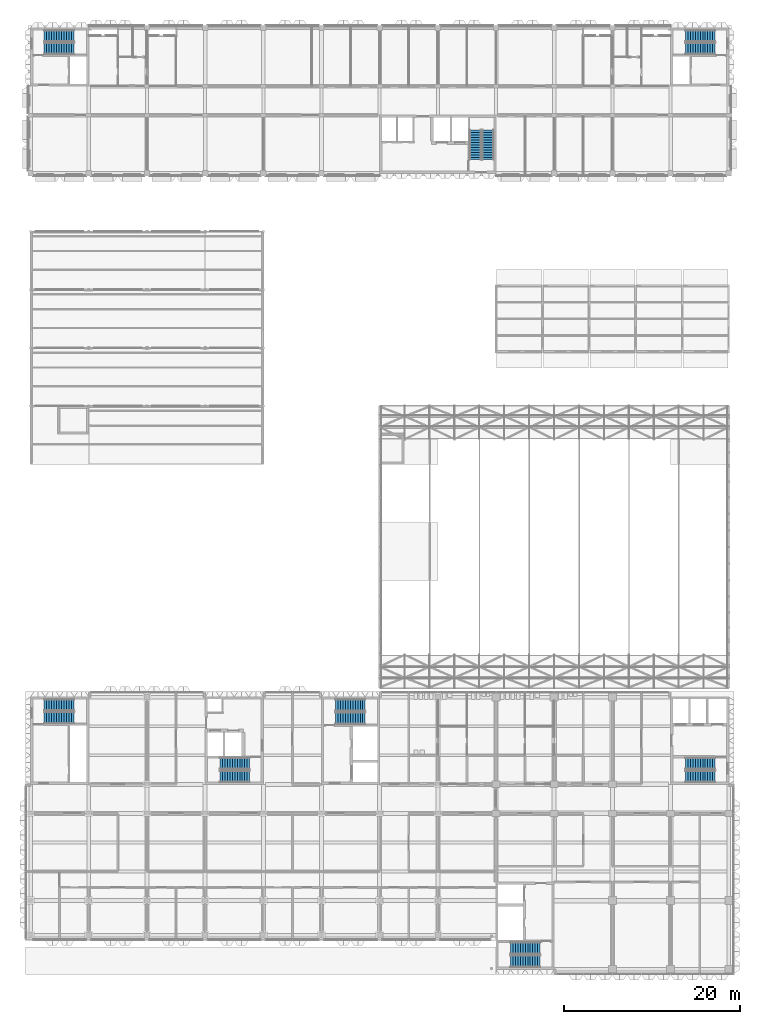
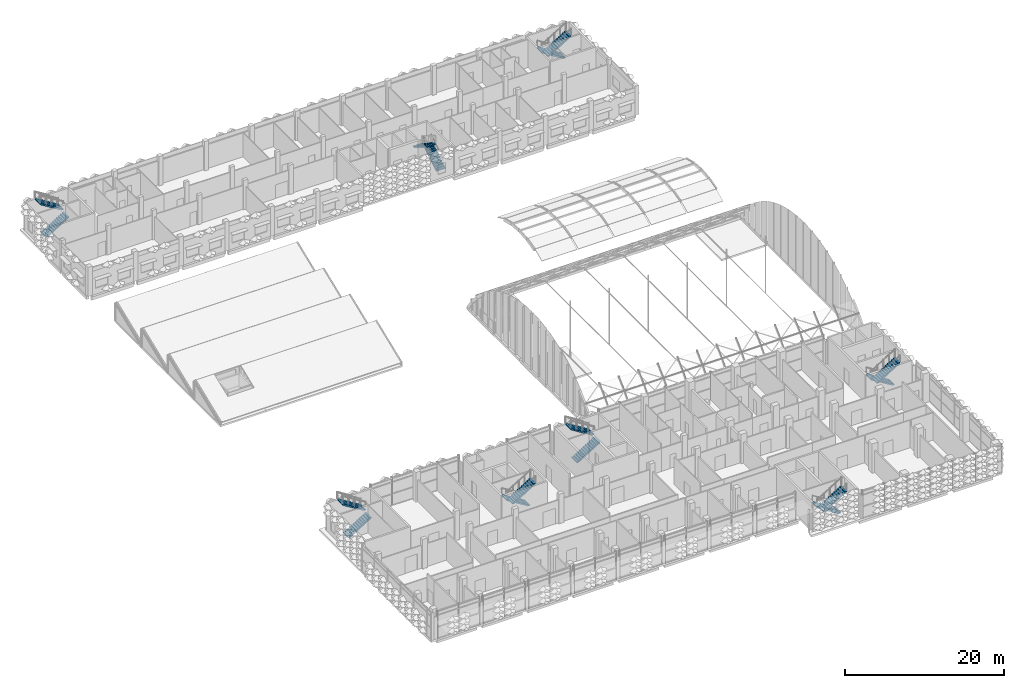
# One storey, part 61 of 109: 16 stair flights, 8 elements without a shape of their own.
"""IFC4 building model written with IfcOpenShell, lengths in metres."""

from ifc_helpers import new_model, si_unit, direction, frame, origin, place, context, subcontext, project, spatial, polyline, outline, extrude, material, type_object, element, aggregate, save


model = new_model("IFC4")

# Units and contexts
model_context = context("Model", 3, precision=1e-05, world=origin(), true_north=direction((0.0, 1.0)))
body_context = subcontext(model_context, "Body", "Model", "MODEL_VIEW")
ifc_project = project(units=[si_unit("LENGTHUNIT", "METRE"), si_unit("AREAUNIT", "SQUARE_METRE"), si_unit("VOLUMEUNIT", "CUBIC_METRE"), si_unit("PLANEANGLEUNIT", "RADIAN"), si_unit("MASSUNIT", "GRAM", prefix="KILO")], contexts=[model_context])

# Site, building, storey
site_placement = place(None, origin())
site = spatial("IfcSite", under=ifc_project, at=site_placement, CompositionType="ELEMENT")
building_placement = place(site_placement, origin())
building = spatial("IfcBuilding", under=site, at=building_placement, Name="Lantern Court Research Institute", CompositionType="ELEMENT")
storey_placement = place(building_placement, frame((0.0, 0.0, 14.39990234375)))
storey = spatial("IfcBuildingStorey", under=building, at=storey_placement, Name="L03", CompositionType="ELEMENT", Elevation=14.39990234375)

# Stair, stair flights
ifc_material_1 = material(Name="Concrete C40/50", Category="concrete")
stair_type_1 = type_object("IfcStairType", Name="RC half-turn stair 1300 wide, 4500 rise, 6100 shaft", PredefinedType="HALF_TURN_STAIR", material=ifc_material_1)
stair_1_placement = place(storey_placement, origin())
stair_1 = element("IfcStair", 1, at=stair_1_placement, inside=storey, type_object=stair_type_1, Name="L03 stair ST-B1", PredefinedType="HALF_TURN_STAIR")
ifc_material_2 = material(Name="Concrete C40/50", Category="concrete")
stair_flight_type_1 = type_object("IfcStairFlightType", Name="RC stair flight 1300 wide, 13 risers of 173, going 280", PredefinedType="STRAIGHT", material=ifc_material_2)
stair_flight_1_placement = place(storey_placement, frame((1.550048828125, 20.75, 0.0), z_axis=(0.0, 0.0, 1.0), x_axis=(1.0, 0.0, 0.0)))
stair_flight_1 = element("IfcStairFlight", 2, at=stair_flight_1_placement, type_object=stair_flight_type_1, Name="ST-B1 flight 1", NumberOfRisers=13, NumberOfTreads=12, PredefinedType="STRAIGHT", RiserHeight=0.173076923, TreadLength=0.28, context=body_context, shape_type="SweptSolid", body=[
    extrude(outline(polyline([(0.0, 0.0), (0.0, 0.173095703125), (0.280029296875, 0.173095703125), (0.280029296875, 0.34619140625), (0.56005859375, 0.34619140625), (0.56005859375, 0.519287109375), (0.840087890625, 0.519287109375), (0.840087890625, 0.6923828125), (1.1201171875, 0.6923828125), (1.1201171875, 0.865478515625), (1.39990234375, 0.865478515625), (1.39990234375, 1.03857421875), (1.679931640625, 1.03857421875), (1.679931640625, 1.21142578125), (1.9599609375, 1.21142578125), (1.9599609375, 1.384521484375), (2.239990234375, 1.384521484375), (2.239990234375, 1.5576171875), (2.52001953125, 1.5576171875), (2.52001953125, 1.730712890625), (2.800048828125, 1.730712890625), (2.800048828125, 1.90380859375), (3.080078125, 1.90380859375), (3.080078125, 2.076904296875), (3.360107421875, 2.076904296875), (3.360107421875, 2.25), (3.360107421875, 1.900634765625), (0.28515625, 0.0), (0.0, 0.0)])), frame((0.0, 0.64990234375, 0.0), z_axis=(0.0, -1.0, 0.0), x_axis=(1.0, 0.0, 0.0)), (0.0, 0.0, 1.0), 1.300048828125),
])
stair_flight_2_placement = place(storey_placement, frame((4.909912109375, 22.199951171875, 2.25), z_axis=(0.0, 0.0, 1.0), x_axis=(-1.0, 0.0, 0.0)))
stair_flight_2 = element("IfcStairFlight", 3, at=stair_flight_2_placement, type_object=stair_flight_type_1, Name="ST-B1 flight 2", NumberOfRisers=13, NumberOfTreads=12, PredefinedType="STRAIGHT", RiserHeight=0.173076923, TreadLength=0.28, context=body_context, shape_type="SweptSolid", body=[
    extrude(outline(polyline([(0.0, 0.0), (0.0, 0.173095703125), (0.280029296875, 0.173095703125), (0.280029296875, 0.34619140625), (0.56005859375, 0.34619140625), (0.56005859375, 0.519287109375), (0.840087890625, 0.519287109375), (0.840087890625, 0.6923828125), (1.1201171875, 0.6923828125), (1.1201171875, 0.865478515625), (1.39990234375, 0.865478515625), (1.39990234375, 1.03857421875), (1.679931640625, 1.03857421875), (1.679931640625, 1.21142578125), (1.9599609375, 1.21142578125), (1.9599609375, 1.384521484375), (2.239990234375, 1.384521484375), (2.239990234375, 1.5576171875), (2.52001953125, 1.5576171875), (2.52001953125, 1.730712890625), (2.800048828125, 1.730712890625), (2.800048828125, 1.90380859375), (3.080078125, 1.90380859375), (3.080078125, 2.076904296875), (3.360107421875, 2.076904296875), (3.360107421875, 2.25), (3.360107421875, 1.900634765625), (0.28515625, 0.0), (0.0, 0.0)])), frame((0.0, 0.64990234375, 0.0), z_axis=(0.0, -1.0, 0.0), x_axis=(1.0, 0.0, 0.0)), (0.0, 0.0, 1.0), 1.300048828125),
])
aggregate(stair_1, [stair_flight_1, stair_flight_2])

stair_2_placement = place(storey_placement, origin())
stair_2 = element("IfcStair", 4, at=stair_2_placement, inside=storey, type_object=stair_type_1, Name="L03 stair ST-B2", PredefinedType="HALF_TURN_STAIR")
stair_flight_3_placement = place(storey_placement, frame((24.85009765625, 15.550048828125, 0.0), z_axis=(0.0, 0.0, 1.0), x_axis=(-1.0, 0.0, 0.0)))
stair_flight_3 = element("IfcStairFlight", 5, at=stair_flight_3_placement, type_object=stair_flight_type_1, Name="ST-B2 flight 1", NumberOfRisers=13, NumberOfTreads=12, PredefinedType="STRAIGHT", RiserHeight=0.173076923, TreadLength=0.28, context=body_context, shape_type="SweptSolid", body=[
    extrude(outline(polyline([(0.0, 0.0), (0.0, 0.173095703125), (0.280029296875, 0.173095703125), (0.280029296875, 0.34619140625), (0.56005859375, 0.34619140625), (0.56005859375, 0.519287109375), (0.840087890625, 0.519287109375), (0.840087890625, 0.6923828125), (1.1201171875, 0.6923828125), (1.1201171875, 0.865478515625), (1.39990234375, 0.865478515625), (1.39990234375, 1.03857421875), (1.679931640625, 1.03857421875), (1.679931640625, 1.21142578125), (1.9599609375, 1.21142578125), (1.9599609375, 1.384521484375), (2.239990234375, 1.384521484375), (2.239990234375, 1.5576171875), (2.52001953125, 1.5576171875), (2.52001953125, 1.730712890625), (2.800048828125, 1.730712890625), (2.800048828125, 1.90380859375), (3.080078125, 1.90380859375), (3.080078125, 2.076904296875), (3.360107421875, 2.076904296875), (3.360107421875, 2.25), (3.360107421875, 1.900634765625), (0.28515625, 0.0), (0.0, 0.0)])), frame((0.0, 0.64990234375, 0.0), z_axis=(0.0, -1.0, 0.0), x_axis=(1.0, 0.0, 0.0)), (0.0, 0.0, 1.0), 1.300048828125),
])
stair_flight_4_placement = place(storey_placement, frame((21.489990234375, 14.10009765625, 2.25), z_axis=(0.0, 0.0, 1.0), x_axis=(1.0, 0.0, 0.0)))
stair_flight_4 = element("IfcStairFlight", 6, at=stair_flight_4_placement, type_object=stair_flight_type_1, Name="ST-B2 flight 2", NumberOfRisers=13, NumberOfTreads=12, PredefinedType="STRAIGHT", RiserHeight=0.173076923, TreadLength=0.28, context=body_context, shape_type="SweptSolid", body=[
    extrude(outline(polyline([(0.0, 0.0), (0.0, 0.173095703125), (0.280029296875, 0.173095703125), (0.280029296875, 0.34619140625), (0.56005859375, 0.34619140625), (0.56005859375, 0.519287109375), (0.840087890625, 0.519287109375), (0.840087890625, 0.6923828125), (1.1201171875, 0.6923828125), (1.1201171875, 0.865478515625), (1.39990234375, 0.865478515625), (1.39990234375, 1.03857421875), (1.679931640625, 1.03857421875), (1.679931640625, 1.21142578125), (1.9599609375, 1.21142578125), (1.9599609375, 1.384521484375), (2.239990234375, 1.384521484375), (2.239990234375, 1.5576171875), (2.52001953125, 1.5576171875), (2.52001953125, 1.730712890625), (2.800048828125, 1.730712890625), (2.800048828125, 1.90380859375), (3.080078125, 1.90380859375), (3.080078125, 2.076904296875), (3.360107421875, 2.076904296875), (3.360107421875, 2.25), (3.360107421875, 1.900634765625), (0.28515625, 0.0), (0.0, 0.0)])), frame((0.0, 0.64990234375, 0.0), z_axis=(0.0, -1.0, 0.0), x_axis=(1.0, 0.0, 0.0)), (0.0, 0.0, 1.0), 1.300048828125),
])
aggregate(stair_2, [stair_flight_3, stair_flight_4])

stair_3_placement = place(storey_placement, origin())
stair_3 = element("IfcStair", 7, at=stair_3_placement, inside=storey, type_object=stair_type_1, Name="L03 stair ST-T2", PredefinedType="HALF_TURN_STAIR")
stair_flight_5_placement = place(storey_placement, frame((77.64990234375, 15.550048828125, 0.0), z_axis=(0.0, 0.0, 1.0), x_axis=(-1.0, 0.0, 0.0)))
stair_flight_5 = element("IfcStairFlight", 8, at=stair_flight_5_placement, type_object=stair_flight_type_1, Name="ST-T2 flight 1", NumberOfRisers=13, NumberOfTreads=12, PredefinedType="STRAIGHT", RiserHeight=0.173076923, TreadLength=0.28, context=body_context, shape_type="SweptSolid", body=[
    extrude(outline(polyline([(0.0, 0.0), (0.0, 0.173095703125), (0.280029296875, 0.173095703125), (0.280029296875, 0.34619140625), (0.56005859375, 0.34619140625), (0.56005859375, 0.519287109375), (0.840087890625, 0.519287109375), (0.840087890625, 0.6923828125), (1.1201171875, 0.6923828125), (1.1201171875, 0.865478515625), (1.39990234375, 0.865478515625), (1.39990234375, 1.03857421875), (1.679931640625, 1.03857421875), (1.679931640625, 1.21142578125), (1.9599609375, 1.21142578125), (1.9599609375, 1.384521484375), (2.239990234375, 1.384521484375), (2.239990234375, 1.5576171875), (2.52001953125, 1.5576171875), (2.52001953125, 1.730712890625), (2.800048828125, 1.730712890625), (2.800048828125, 1.90380859375), (3.080078125, 1.90380859375), (3.080078125, 2.076904296875), (3.360107421875, 2.076904296875), (3.360107421875, 2.25), (3.360107421875, 1.900634765625), (0.28515625, 0.0), (0.0, 0.0)])), frame((0.0, 0.64990234375, 0.0), z_axis=(0.0, -1.0, 0.0), x_axis=(1.0, 0.0, 0.0)), (0.0, 0.0, 1.0), 1.300048828125),
])
stair_flight_6_placement = place(storey_placement, frame((74.2900390625, 14.10009765625, 2.25), z_axis=(0.0, 0.0, 1.0), x_axis=(1.0, 0.0, 0.0)))
stair_flight_6 = element("IfcStairFlight", 9, at=stair_flight_6_placement, type_object=stair_flight_type_1, Name="ST-T2 flight 2", NumberOfRisers=13, NumberOfTreads=12, PredefinedType="STRAIGHT", RiserHeight=0.173076923, TreadLength=0.28, context=body_context, shape_type="SweptSolid", body=[
    extrude(outline(polyline([(0.0, 0.0), (0.0, 0.173095703125), (0.280029296875, 0.173095703125), (0.280029296875, 0.34619140625), (0.56005859375, 0.34619140625), (0.56005859375, 0.519287109375), (0.840087890625, 0.519287109375), (0.840087890625, 0.6923828125), (1.1201171875, 0.6923828125), (1.1201171875, 0.865478515625), (1.39990234375, 0.865478515625), (1.39990234375, 1.03857421875), (1.679931640625, 1.03857421875), (1.679931640625, 1.21142578125), (1.9599609375, 1.21142578125), (1.9599609375, 1.384521484375), (2.239990234375, 1.384521484375), (2.239990234375, 1.5576171875), (2.52001953125, 1.5576171875), (2.52001953125, 1.730712890625), (2.800048828125, 1.730712890625), (2.800048828125, 1.90380859375), (3.080078125, 1.90380859375), (3.080078125, 2.076904296875), (3.360107421875, 2.076904296875), (3.360107421875, 2.25), (3.360107421875, 1.900634765625), (0.28515625, 0.0), (0.0, 0.0)])), frame((0.0, 0.64990234375, 0.0), z_axis=(0.0, -1.0, 0.0), x_axis=(1.0, 0.0, 0.0)), (0.0, 0.0, 1.0), 1.300048828125),
])
aggregate(stair_3, [stair_flight_5, stair_flight_6])

stair_4_placement = place(storey_placement, origin())
stair_4 = element("IfcStair", 10, at=stair_4_placement, inside=storey, type_object=stair_type_1, Name="L03 stair ST-W1", PredefinedType="HALF_TURN_STAIR")
stair_flight_7_placement = place(storey_placement, frame((1.550048828125, 96.64990234375, 0.0), z_axis=(0.0, 0.0, 1.0), x_axis=(1.0, 0.0, 0.0)))
stair_flight_7 = element("IfcStairFlight", 11, at=stair_flight_7_placement, type_object=stair_flight_type_1, Name="ST-W1 flight 1", NumberOfRisers=13, NumberOfTreads=12, PredefinedType="STRAIGHT", RiserHeight=0.173076923, TreadLength=0.28, context=body_context, shape_type="SweptSolid", body=[
    extrude(outline(polyline([(0.0, 0.0), (0.0, 0.173095703125), (0.280029296875, 0.173095703125), (0.280029296875, 0.34619140625), (0.56005859375, 0.34619140625), (0.56005859375, 0.519287109375), (0.840087890625, 0.519287109375), (0.840087890625, 0.6923828125), (1.1201171875, 0.6923828125), (1.1201171875, 0.865478515625), (1.39990234375, 0.865478515625), (1.39990234375, 1.03857421875), (1.679931640625, 1.03857421875), (1.679931640625, 1.21142578125), (1.9599609375, 1.21142578125), (1.9599609375, 1.384521484375), (2.239990234375, 1.384521484375), (2.239990234375, 1.5576171875), (2.52001953125, 1.5576171875), (2.52001953125, 1.730712890625), (2.800048828125, 1.730712890625), (2.800048828125, 1.90380859375), (3.080078125, 1.90380859375), (3.080078125, 2.076904296875), (3.360107421875, 2.076904296875), (3.360107421875, 2.25), (3.360107421875, 1.900634765625), (0.28515625, 0.0), (0.0, 0.0)])), frame((0.0, 0.64990234375, 0.0), z_axis=(0.0, -1.0, 0.0), x_axis=(1.0, 0.0, 0.0)), (0.0, 0.0, 1.0), 1.300048828125),
])
stair_flight_8_placement = place(storey_placement, frame((4.909912109375, 98.10009765625, 2.25), z_axis=(0.0, 0.0, 1.0), x_axis=(-1.0, 0.0, 0.0)))
stair_flight_8 = element("IfcStairFlight", 12, at=stair_flight_8_placement, type_object=stair_flight_type_1, Name="ST-W1 flight 2", NumberOfRisers=13, NumberOfTreads=12, PredefinedType="STRAIGHT", RiserHeight=0.173076923, TreadLength=0.28, context=body_context, shape_type="SweptSolid", body=[
    extrude(outline(polyline([(0.0, 0.0), (0.0, 0.173095703125), (0.280029296875, 0.173095703125), (0.280029296875, 0.34619140625), (0.56005859375, 0.34619140625), (0.56005859375, 0.519287109375), (0.840087890625, 0.519287109375), (0.840087890625, 0.6923828125), (1.1201171875, 0.6923828125), (1.1201171875, 0.865478515625), (1.39990234375, 0.865478515625), (1.39990234375, 1.03857421875), (1.679931640625, 1.03857421875), (1.679931640625, 1.21142578125), (1.9599609375, 1.21142578125), (1.9599609375, 1.384521484375), (2.239990234375, 1.384521484375), (2.239990234375, 1.5576171875), (2.52001953125, 1.5576171875), (2.52001953125, 1.730712890625), (2.800048828125, 1.730712890625), (2.800048828125, 1.90380859375), (3.080078125, 1.90380859375), (3.080078125, 2.076904296875), (3.360107421875, 2.076904296875), (3.360107421875, 2.25), (3.360107421875, 1.900634765625), (0.28515625, 0.0), (0.0, 0.0)])), frame((0.0, 0.64990234375, 0.0), z_axis=(0.0, -1.0, 0.0), x_axis=(1.0, 0.0, 0.0)), (0.0, 0.0, 1.0), 1.300048828125),
])
aggregate(stair_4, [stair_flight_7, stair_flight_8])

stair_5_placement = place(storey_placement, origin())
stair_5 = element("IfcStair", 13, at=stair_5_placement, inside=storey, type_object=stair_type_1, Name="L03 stair ST-W2", PredefinedType="HALF_TURN_STAIR")
stair_flight_9_placement = place(storey_placement, frame((51.89990234375, 84.050048828125, 0.0), z_axis=(0.0, 0.0, 1.0), x_axis=(0.0, 1.0, 0.0)))
stair_flight_9 = element("IfcStairFlight", 14, at=stair_flight_9_placement, type_object=stair_flight_type_1, Name="ST-W2 flight 1", NumberOfRisers=13, NumberOfTreads=12, PredefinedType="STRAIGHT", RiserHeight=0.173076923, TreadLength=0.28, context=body_context, shape_type="SweptSolid", body=[
    extrude(outline(polyline([(0.0, 0.0), (0.0, 0.173095703125), (0.280029296875, 0.173095703125), (0.280029296875, 0.34619140625), (0.56005859375, 0.34619140625), (0.56005859375, 0.519287109375), (0.840087890625, 0.519287109375), (0.840087890625, 0.6923828125), (1.1201171875, 0.6923828125), (1.1201171875, 0.865478515625), (1.39990234375, 0.865478515625), (1.39990234375, 1.03857421875), (1.679931640625, 1.03857421875), (1.679931640625, 1.21142578125), (1.9599609375, 1.21142578125), (1.9599609375, 1.384521484375), (2.239990234375, 1.384521484375), (2.239990234375, 1.5576171875), (2.52001953125, 1.5576171875), (2.52001953125, 1.730712890625), (2.800048828125, 1.730712890625), (2.800048828125, 1.90380859375), (3.080078125, 1.90380859375), (3.080078125, 2.076904296875), (3.360107421875, 2.076904296875), (3.360107421875, 2.25), (3.360107421875, 1.900634765625), (0.28515625, 0.0), (0.0, 0.0)])), frame((0.0, 0.64990234375, 0.0), z_axis=(0.0, -1.0, 0.0), x_axis=(1.0, 0.0, 0.0)), (0.0, 0.0, 1.0), 1.300048828125),
])
stair_flight_10_placement = place(storey_placement, frame((50.449951171875, 87.409912109375, 2.25), z_axis=(0.0, 0.0, 1.0), x_axis=(0.0, -1.0, 0.0)))
stair_flight_10 = element("IfcStairFlight", 15, at=stair_flight_10_placement, type_object=stair_flight_type_1, Name="ST-W2 flight 2", NumberOfRisers=13, NumberOfTreads=12, PredefinedType="STRAIGHT", RiserHeight=0.173076923, TreadLength=0.28, context=body_context, shape_type="SweptSolid", body=[
    extrude(outline(polyline([(0.0, 0.0), (0.0, 0.173095703125), (0.280029296875, 0.173095703125), (0.280029296875, 0.34619140625), (0.56005859375, 0.34619140625), (0.56005859375, 0.519287109375), (0.840087890625, 0.519287109375), (0.840087890625, 0.6923828125), (1.1201171875, 0.6923828125), (1.1201171875, 0.865478515625), (1.39990234375, 0.865478515625), (1.39990234375, 1.03857421875), (1.679931640625, 1.03857421875), (1.679931640625, 1.21142578125), (1.9599609375, 1.21142578125), (1.9599609375, 1.384521484375), (2.239990234375, 1.384521484375), (2.239990234375, 1.5576171875), (2.52001953125, 1.5576171875), (2.52001953125, 1.730712890625), (2.800048828125, 1.730712890625), (2.800048828125, 1.90380859375), (3.080078125, 1.90380859375), (3.080078125, 2.076904296875), (3.360107421875, 2.076904296875), (3.360107421875, 2.25), (3.360107421875, 1.900634765625), (0.28515625, 0.0), (0.0, 0.0)])), frame((0.0, 0.64990234375, 0.0), z_axis=(0.0, -1.0, 0.0), x_axis=(1.0, 0.0, 0.0)), (0.0, 0.0, 1.0), 1.300048828125),
])
aggregate(stair_5, [stair_flight_9, stair_flight_10])

stair_6_placement = place(storey_placement, origin())
stair_6 = element("IfcStair", 16, at=stair_6_placement, inside=storey, type_object=stair_type_1, Name="L03 stair ST-W3", PredefinedType="HALF_TURN_STAIR")
stair_flight_11_placement = place(storey_placement, frame((77.64990234375, 98.10009765625, 0.0), z_axis=(0.0, 0.0, 1.0), x_axis=(-1.0, 0.0, 0.0)))
stair_flight_11 = element("IfcStairFlight", 17, at=stair_flight_11_placement, type_object=stair_flight_type_1, Name="ST-W3 flight 1", NumberOfRisers=13, NumberOfTreads=12, PredefinedType="STRAIGHT", RiserHeight=0.173076923, TreadLength=0.28, context=body_context, shape_type="SweptSolid", body=[
    extrude(outline(polyline([(0.0, 0.0), (0.0, 0.173095703125), (0.280029296875, 0.173095703125), (0.280029296875, 0.34619140625), (0.56005859375, 0.34619140625), (0.56005859375, 0.519287109375), (0.840087890625, 0.519287109375), (0.840087890625, 0.6923828125), (1.1201171875, 0.6923828125), (1.1201171875, 0.865478515625), (1.39990234375, 0.865478515625), (1.39990234375, 1.03857421875), (1.679931640625, 1.03857421875), (1.679931640625, 1.21142578125), (1.9599609375, 1.21142578125), (1.9599609375, 1.384521484375), (2.239990234375, 1.384521484375), (2.239990234375, 1.5576171875), (2.52001953125, 1.5576171875), (2.52001953125, 1.730712890625), (2.800048828125, 1.730712890625), (2.800048828125, 1.90380859375), (3.080078125, 1.90380859375), (3.080078125, 2.076904296875), (3.360107421875, 2.076904296875), (3.360107421875, 2.25), (3.360107421875, 1.900634765625), (0.28515625, 0.0), (0.0, 0.0)])), frame((0.0, 0.64990234375, 0.0), z_axis=(0.0, -1.0, 0.0), x_axis=(1.0, 0.0, 0.0)), (0.0, 0.0, 1.0), 1.300048828125),
])
stair_flight_12_placement = place(storey_placement, frame((74.2900390625, 96.64990234375, 2.25), z_axis=(0.0, 0.0, 1.0), x_axis=(1.0, 0.0, 0.0)))
stair_flight_12 = element("IfcStairFlight", 18, at=stair_flight_12_placement, type_object=stair_flight_type_1, Name="ST-W3 flight 2", NumberOfRisers=13, NumberOfTreads=12, PredefinedType="STRAIGHT", RiserHeight=0.173076923, TreadLength=0.28, context=body_context, shape_type="SweptSolid", body=[
    extrude(outline(polyline([(0.0, 0.0), (0.0, 0.173095703125), (0.280029296875, 0.173095703125), (0.280029296875, 0.34619140625), (0.56005859375, 0.34619140625), (0.56005859375, 0.519287109375), (0.840087890625, 0.519287109375), (0.840087890625, 0.6923828125), (1.1201171875, 0.6923828125), (1.1201171875, 0.865478515625), (1.39990234375, 0.865478515625), (1.39990234375, 1.03857421875), (1.679931640625, 1.03857421875), (1.679931640625, 1.21142578125), (1.9599609375, 1.21142578125), (1.9599609375, 1.384521484375), (2.239990234375, 1.384521484375), (2.239990234375, 1.5576171875), (2.52001953125, 1.5576171875), (2.52001953125, 1.730712890625), (2.800048828125, 1.730712890625), (2.800048828125, 1.90380859375), (3.080078125, 1.90380859375), (3.080078125, 2.076904296875), (3.360107421875, 2.076904296875), (3.360107421875, 2.25), (3.360107421875, 1.900634765625), (0.28515625, 0.0), (0.0, 0.0)])), frame((0.0, 0.64990234375, 0.0), z_axis=(0.0, -1.0, 0.0), x_axis=(1.0, 0.0, 0.0)), (0.0, 0.0, 1.0), 1.300048828125),
])
aggregate(stair_6, [stair_flight_11, stair_flight_12])

ifc_material_3 = material(Name="Concrete C40/50", Category="concrete")
stair_type_2 = type_object("IfcStairType", Name="RC half-turn stair 1350 wide, 4500 rise, 6100 shaft", PredefinedType="HALF_TURN_STAIR", material=ifc_material_3)
stair_7_placement = place(storey_placement, origin())
stair_7 = element("IfcStair", 19, at=stair_7_placement, inside=storey, type_object=stair_type_2, Name="L03 stair ST-B3", PredefinedType="HALF_TURN_STAIR")
ifc_material_4 = material(Name="Concrete C40/50", Category="concrete")
stair_flight_type_2 = type_object("IfcStairFlightType", Name="RC stair flight 1350 wide, 13 risers of 173, going 280", PredefinedType="STRAIGHT", material=ifc_material_4)
stair_flight_13_placement = place(storey_placement, frame((34.60009765625, 20.675048828125, 0.0), z_axis=(0.0, 0.0, 1.0), x_axis=(1.0, 0.0, 0.0)))
stair_flight_13 = element("IfcStairFlight", 20, at=stair_flight_13_placement, type_object=stair_flight_type_2, Name="ST-B3 flight 1", NumberOfRisers=13, NumberOfTreads=12, PredefinedType="STRAIGHT", RiserHeight=0.173076923, TreadLength=0.28, context=body_context, shape_type="SweptSolid", body=[
    extrude(outline(polyline([(0.0, 0.0), (0.0, 0.173095703125), (0.280029296875, 0.173095703125), (0.280029296875, 0.34619140625), (0.56005859375, 0.34619140625), (0.56005859375, 0.519287109375), (0.840087890625, 0.519287109375), (0.840087890625, 0.6923828125), (1.1201171875, 0.6923828125), (1.1201171875, 0.865478515625), (1.39990234375, 0.865478515625), (1.39990234375, 1.03857421875), (1.679931640625, 1.03857421875), (1.679931640625, 1.21142578125), (1.9599609375, 1.21142578125), (1.9599609375, 1.384521484375), (2.239990234375, 1.384521484375), (2.239990234375, 1.5576171875), (2.52001953125, 1.5576171875), (2.52001953125, 1.730712890625), (2.800048828125, 1.730712890625), (2.800048828125, 1.90380859375), (3.080078125, 1.90380859375), (3.080078125, 2.076904296875), (3.360107421875, 2.076904296875), (3.360107421875, 2.25), (3.360107421875, 1.900634765625), (0.28515625, 0.0), (0.0, 0.0)])), frame((0.0, 0.675048828125, 0.0), z_axis=(0.0, -1.0, 0.0), x_axis=(1.0, 0.0, 0.0)), (0.0, 0.0, 1.0), 1.35009765625),
])
stair_flight_14_placement = place(storey_placement, frame((37.9599609375, 22.175048828125, 2.25), z_axis=(0.0, 0.0, 1.0), x_axis=(-1.0, 0.0, 0.0)))
stair_flight_14 = element("IfcStairFlight", 21, at=stair_flight_14_placement, type_object=stair_flight_type_2, Name="ST-B3 flight 2", NumberOfRisers=13, NumberOfTreads=12, PredefinedType="STRAIGHT", RiserHeight=0.173076923, TreadLength=0.28, context=body_context, shape_type="SweptSolid", body=[
    extrude(outline(polyline([(0.0, 0.0), (0.0, 0.173095703125), (0.280029296875, 0.173095703125), (0.280029296875, 0.34619140625), (0.56005859375, 0.34619140625), (0.56005859375, 0.519287109375), (0.840087890625, 0.519287109375), (0.840087890625, 0.6923828125), (1.1201171875, 0.6923828125), (1.1201171875, 0.865478515625), (1.39990234375, 0.865478515625), (1.39990234375, 1.03857421875), (1.679931640625, 1.03857421875), (1.679931640625, 1.21142578125), (1.9599609375, 1.21142578125), (1.9599609375, 1.384521484375), (2.239990234375, 1.384521484375), (2.239990234375, 1.5576171875), (2.52001953125, 1.5576171875), (2.52001953125, 1.730712890625), (2.800048828125, 1.730712890625), (2.800048828125, 1.90380859375), (3.080078125, 1.90380859375), (3.080078125, 2.076904296875), (3.360107421875, 2.076904296875), (3.360107421875, 2.25), (3.360107421875, 1.900634765625), (0.28515625, 0.0), (0.0, 0.0)])), frame((0.0, 0.675048828125, 0.0), z_axis=(0.0, -1.0, 0.0), x_axis=(1.0, 0.0, 0.0)), (0.0, 0.0, 1.0), 1.35009765625),
])
aggregate(stair_7, [stair_flight_13, stair_flight_14])

stair_8_placement = place(storey_placement, origin())
stair_8 = element("IfcStair", 22, at=stair_8_placement, inside=storey, type_object=stair_type_2, Name="L03 stair ST-T1", PredefinedType="HALF_TURN_STAIR")
stair_flight_15_placement = place(storey_placement, frame((57.800048828125, -5.375, 0.0), z_axis=(0.0, 0.0, 1.0), x_axis=(-1.0, 0.0, 0.0)))
stair_flight_15 = element("IfcStairFlight", 23, at=stair_flight_15_placement, type_object=stair_flight_type_2, Name="ST-T1 flight 1", NumberOfRisers=13, NumberOfTreads=12, PredefinedType="STRAIGHT", RiserHeight=0.173076923, TreadLength=0.28, context=body_context, shape_type="SweptSolid", body=[
    extrude(outline(polyline([(0.0, 0.0), (0.0, 0.173095703125), (0.280029296875, 0.173095703125), (0.280029296875, 0.34619140625), (0.56005859375, 0.34619140625), (0.56005859375, 0.519287109375), (0.840087890625, 0.519287109375), (0.840087890625, 0.6923828125), (1.1201171875, 0.6923828125), (1.1201171875, 0.865478515625), (1.39990234375, 0.865478515625), (1.39990234375, 1.03857421875), (1.679931640625, 1.03857421875), (1.679931640625, 1.21142578125), (1.9599609375, 1.21142578125), (1.9599609375, 1.384521484375), (2.239990234375, 1.384521484375), (2.239990234375, 1.5576171875), (2.52001953125, 1.5576171875), (2.52001953125, 1.730712890625), (2.800048828125, 1.730712890625), (2.800048828125, 1.90380859375), (3.080078125, 1.90380859375), (3.080078125, 2.076904296875), (3.360107421875, 2.076904296875), (3.360107421875, 2.25), (3.360107421875, 1.900634765625), (0.28515625, 0.0), (0.0, 0.0)])), frame((0.0, 0.675048828125, 0.0), z_axis=(0.0, -1.0, 0.0), x_axis=(1.0, 0.0, 0.0)), (0.0, 0.0, 1.0), 1.35009765625),
])
stair_flight_16_placement = place(storey_placement, frame((54.43994140625, -6.875, 2.25), z_axis=(0.0, 0.0, 1.0), x_axis=(1.0, 0.0, 0.0)))
stair_flight_16 = element("IfcStairFlight", 24, at=stair_flight_16_placement, type_object=stair_flight_type_2, Name="ST-T1 flight 2", NumberOfRisers=13, NumberOfTreads=12, PredefinedType="STRAIGHT", RiserHeight=0.173076923, TreadLength=0.28, context=body_context, shape_type="SweptSolid", body=[
    extrude(outline(polyline([(0.0, 0.0), (0.0, 0.173095703125), (0.280029296875, 0.173095703125), (0.280029296875, 0.34619140625), (0.56005859375, 0.34619140625), (0.56005859375, 0.519287109375), (0.840087890625, 0.519287109375), (0.840087890625, 0.6923828125), (1.1201171875, 0.6923828125), (1.1201171875, 0.865478515625), (1.39990234375, 0.865478515625), (1.39990234375, 1.03857421875), (1.679931640625, 1.03857421875), (1.679931640625, 1.21142578125), (1.9599609375, 1.21142578125), (1.9599609375, 1.384521484375), (2.239990234375, 1.384521484375), (2.239990234375, 1.5576171875), (2.52001953125, 1.5576171875), (2.52001953125, 1.730712890625), (2.800048828125, 1.730712890625), (2.800048828125, 1.90380859375), (3.080078125, 1.90380859375), (3.080078125, 2.076904296875), (3.360107421875, 2.076904296875), (3.360107421875, 2.25), (3.360107421875, 1.900634765625), (0.28515625, 0.0), (0.0, 0.0)])), frame((0.0, 0.675048828125, 0.0), z_axis=(0.0, -1.0, 0.0), x_axis=(1.0, 0.0, 0.0)), (0.0, 0.0, 1.0), 1.35009765625),
])
aggregate(stair_8, [stair_flight_15, stair_flight_16])

save(model, "model.ifc")
